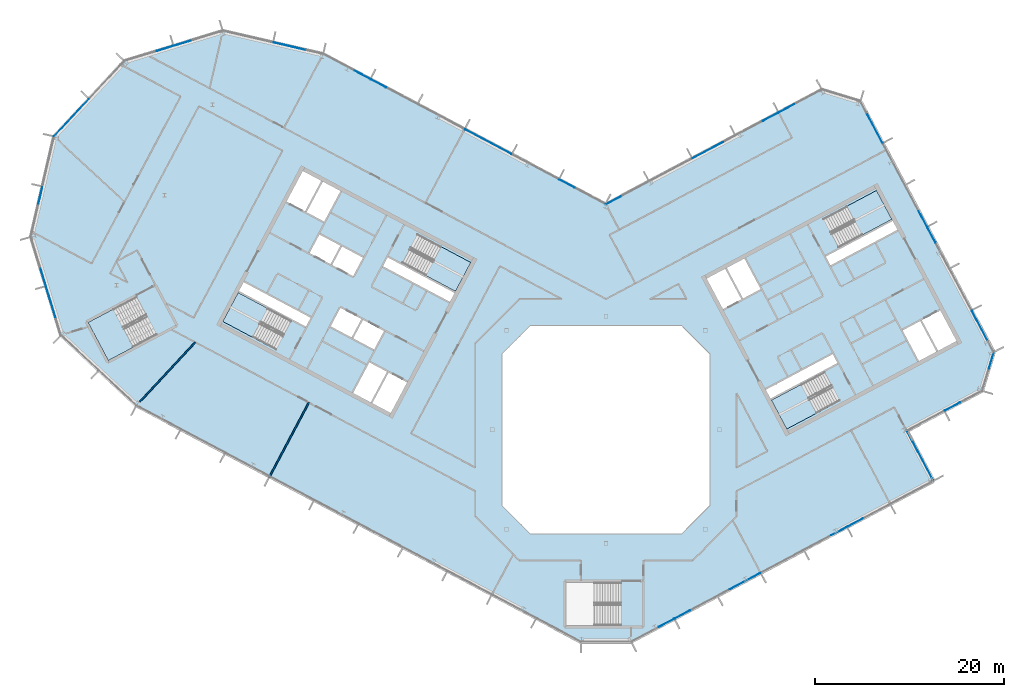
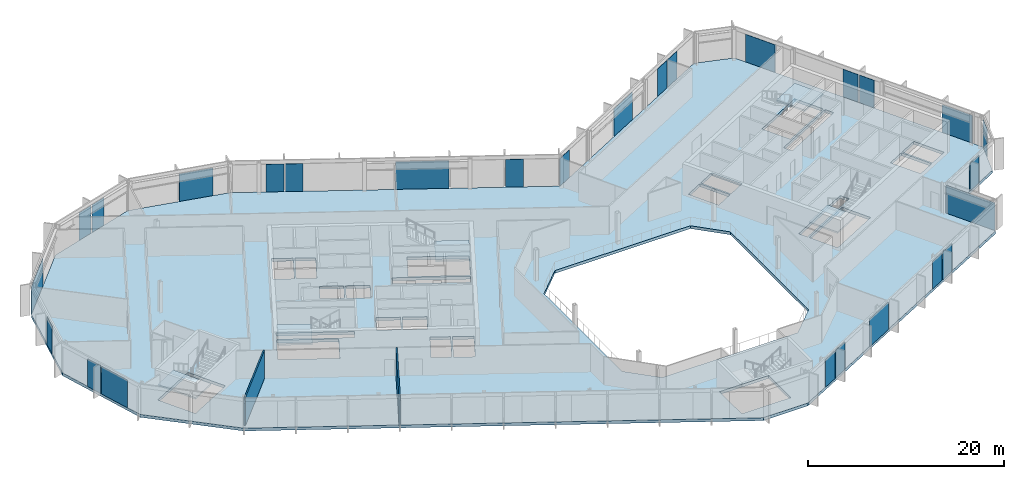
# One storey, part 11 of 25: 27 plates, 6 slabs, 2 walls, 17 elements without a shape of their own.
"""IFC4 building model written with IfcOpenShell, lengths in metres."""

from ifc_helpers import new_model, si_unit, direction, frame, frame_2d, origin, origin_2d, place, context, subcontext, project, spatial, polyline, rectangle, outline, extrude, material, layer, layer_set, type_object, element, aggregate, save


model = new_model("IFC4")

# Units and contexts
model_context = context("Model", 3, precision=1e-05, world=origin(), true_north=direction((0.0, 1.0)))
body_context = subcontext(model_context, "Body", "Model", "MODEL_VIEW")
ifc_project = project(units=[si_unit("LENGTHUNIT", "METRE"), si_unit("AREAUNIT", "SQUARE_METRE"), si_unit("VOLUMEUNIT", "CUBIC_METRE"), si_unit("PLANEANGLEUNIT", "RADIAN"), si_unit("MASSUNIT", "GRAM", prefix="KILO")], contexts=[model_context])

# Site, building, storey
site_placement = place(None, origin())
site = spatial("IfcSite", under=ifc_project, at=site_placement, CompositionType="ELEMENT")
building_placement = place(site_placement, origin())
building = spatial("IfcBuilding", under=site, at=building_placement, Name="Cormorant Relay Tower", CompositionType="ELEMENT")
storey_placement = place(building_placement, frame((0.0, 0.0, 273.60009765625)))
storey = spatial("IfcBuildingStorey", under=building, at=storey_placement, Name="L61", CompositionType="ELEMENT", Elevation=273.60009765625)

# Curtain wall, plates
ifc_material_1 = material(Name="Aluminium 6063-T6 anodised bronze", Category="aluminium")
ifc_layer_1 = layer(ifc_material_1, 0.199951171875)
ifc_layer_set_1 = layer_set([ifc_layer_1], Name="CW1 unitised bronze curtain wall with vertical fins")
curtain_wall_type = type_object("IfcCurtainWallType", Name="CW1 unitised bronze curtain wall with vertical fins", PredefinedType="NOTDEFINED", material=ifc_layer_set_1)
curtain_wall_1_placement = place(storey_placement, origin())
curtain_wall_1 = element("IfcCurtainWall", 1, at=curtain_wall_1_placement, inside=storey, type_object=curtain_wall_type, Name="CW1 curtain wall 2", PredefinedType="NOTDEFINED")
ifc_material_2 = material(Name="Tinted laminated glass", Category="glass")
ifc_layer_2 = layer(ifc_material_2, 0.0400390625)
ifc_layer_set_2 = layer_set([ifc_layer_2], Name="CW1 tinted vision panel 1800 module")
plate_type_1 = type_object("IfcPlateType", Name="CW1 tinted vision panel 1800 module", PredefinedType="CURTAIN_PANEL", material=ifc_layer_set_2)
plate_1_placement = place(storey_placement, frame((6.359130859375, -20.42529296875, 0.0), z_axis=(0.0, 0.0, 1.0), x_axis=(0.882947592859, 0.469471562786, 0.0)))
plate_1 = element("IfcPlate", 2, at=plate_1_placement, type_object=plate_type_1, Name="CW1 panel V01", PredefinedType="CURTAIN_PANEL", context=body_context, shape_type="SweptSolid", body=[
    extrude(rectangle(XDim=1.800048828125, YDim=0.0400390625, at=origin_2d()), origin(), (0.0, 0.0, 1.0), 3.449951171875),
])
plate_2_placement = place(storey_placement, frame((8.080810546875, -19.510009765625, 0.0), z_axis=(0.0, 0.0, 1.0), x_axis=(0.882947592859, 0.469471562786, 0.0)))
plate_2 = element("IfcPlate", 3, at=plate_2_placement, type_object=plate_type_1, Name="CW1 panel V02", PredefinedType="CURTAIN_PANEL", context=body_context, shape_type="SweptSolid", body=[
    extrude(rectangle(XDim=1.800048828125, YDim=0.0400390625, at=origin_2d()), origin(), (0.0, 0.0, 1.0), 3.449951171875),
])
plate_3_placement = place(storey_placement, frame((24.6064453125, -10.72314453125, 0.0), z_axis=(0.0, 0.0, 1.0), x_axis=(0.882947592859, 0.469471562786, 0.0)))
plate_3 = element("IfcPlate", 4, at=plate_3_placement, type_object=plate_type_1, Name="CW1 panel V06", PredefinedType="CURTAIN_PANEL", context=body_context, shape_type="SweptSolid", body=[
    extrude(rectangle(XDim=1.800048828125, YDim=0.0400390625, at=origin_2d()), origin(), (0.0, 0.0, 1.0), 3.449951171875),
])
plate_4_placement = place(storey_placement, frame((26.328125, -9.8076171875, 0.0), z_axis=(0.0, 0.0, 1.0), x_axis=(0.882947592859, 0.469471562786, 0.0)))
plate_4 = element("IfcPlate", 5, at=plate_4_placement, type_object=plate_type_1, Name="CW1 panel V07", PredefinedType="CURTAIN_PANEL", context=body_context, shape_type="SweptSolid", body=[
    extrude(rectangle(XDim=1.800048828125, YDim=0.0400390625, at=origin_2d()), origin(), (0.0, 0.0, 1.0), 3.449951171875),
])

# Curtain wall, plate
curtain_wall_2_placement = place(storey_placement, origin())
curtain_wall_2 = element("IfcCurtainWall", 6, at=curtain_wall_2_placement, inside=storey, type_object=curtain_wall_type, Name="CW1 curtain wall 4", PredefinedType="NOTDEFINED")
plate_5_placement = place(storey_placement, frame((36.608154296875, 2.45361328125, 0.0), z_axis=(0.0, 0.0, 1.0), x_axis=(0.882947592859, 0.469471562786, 0.0)))
plate_5 = element("IfcPlate", 7, at=plate_5_placement, type_object=plate_type_1, Name="CW1 panel V01", PredefinedType="CURTAIN_PANEL", context=body_context, shape_type="SweptSolid", body=[
    extrude(rectangle(XDim=1.800048828125, YDim=0.0400390625, at=origin_2d()), origin(), (0.0, 0.0, 1.0), 3.449951171875),
])
aggregate(curtain_wall_2, [plate_5])

curtain_wall_3_placement = place(storey_placement, origin())
curtain_wall_3 = element("IfcCurtainWall", 8, at=curtain_wall_3_placement, inside=storey, type_object=curtain_wall_type, Name="CW1 curtain wall 5", PredefinedType="NOTDEFINED")
plate_6_placement = place(storey_placement, frame((40.70751953125, 7.31689453125, 0.0), z_axis=(0.0, 0.0, 1.0), x_axis=(0.292371704723, 0.956304755963, 0.0)))
plate_6 = element("IfcPlate", 9, at=plate_6_placement, type_object=plate_type_1, Name="CW1 panel V01", PredefinedType="CURTAIN_PANEL", context=body_context, shape_type="SweptSolid", body=[
    extrude(rectangle(XDim=1.800048828125, YDim=0.0400390625, at=origin_2d()), origin(), (0.0, 0.0, 1.0), 3.449951171875),
])
aggregate(curtain_wall_3, [plate_6])

# Curtain wall, plates
curtain_wall_4_placement = place(storey_placement, origin())
curtain_wall_4 = element("IfcCurtainWall", 10, at=curtain_wall_4_placement, inside=storey, type_object=curtain_wall_type, Name="CW1 curtain wall 6", PredefinedType="NOTDEFINED")
plate_7_placement = place(storey_placement, frame((34.385009765625, 20.576171875, 0.0), z_axis=(0.0, 0.0, 1.0), x_axis=(-0.469471562786, 0.882947592859, 0.0)))
plate_7 = element("IfcPlate", 11, at=plate_7_placement, type_object=plate_type_1, Name="CW1 panel V03", PredefinedType="CURTAIN_PANEL", context=body_context, shape_type="SweptSolid", body=[
    extrude(rectangle(XDim=1.800048828125, YDim=0.0400390625, at=origin_2d()), origin(), (0.0, 0.0, 1.0), 3.449951171875),
])
plate_8_placement = place(storey_placement, frame((33.469482421875, 22.298095703125, 0.0), z_axis=(0.0, 0.0, 1.0), x_axis=(-0.469471562786, 0.882947592859, 0.0)))
plate_8 = element("IfcPlate", 12, at=plate_8_placement, type_object=plate_type_1, Name="CW1 panel V04", PredefinedType="CURTAIN_PANEL", context=body_context, shape_type="SweptSolid", body=[
    extrude(rectangle(XDim=1.800048828125, YDim=0.0400390625, at=origin_2d()), origin(), (0.0, 0.0, 1.0), 3.449951171875),
])

curtain_wall_5_placement = place(storey_placement, origin())
curtain_wall_5 = element("IfcCurtainWall", 13, at=curtain_wall_5_placement, inside=storey, type_object=curtain_wall_type, Name="CW1 curtain wall 8", PredefinedType="NOTDEFINED")
plate_9_placement = place(storey_placement, frame((19.099609375, 33.962158203125, 0.0), z_axis=(0.0, 0.0, 1.0), x_axis=(-0.882947592859, -0.469471562786, 0.0)))
plate_9 = element("IfcPlate", 14, at=plate_9_placement, type_object=plate_type_1, Name="CW1 panel V01", PredefinedType="CURTAIN_PANEL", context=body_context, shape_type="SweptSolid", body=[
    extrude(rectangle(XDim=1.800048828125, YDim=0.0400390625, at=origin_2d()), origin(), (0.0, 0.0, 1.0), 3.449951171875),
])
plate_10_placement = place(storey_placement, frame((17.3779296875, 33.046630859375, 0.0), z_axis=(0.0, 0.0, 1.0), x_axis=(-0.882947592859, -0.469471562786, 0.0)))
plate_10 = element("IfcPlate", 15, at=plate_10_placement, type_object=plate_type_1, Name="CW1 panel V02", PredefinedType="CURTAIN_PANEL", context=body_context, shape_type="SweptSolid", body=[
    extrude(rectangle(XDim=1.800048828125, YDim=0.0400390625, at=origin_2d()), origin(), (0.0, 0.0, 1.0), 3.449951171875),
])
plate_11_placement = place(storey_placement, frame((0.785400390625, 24.22412109375, 0.0), z_axis=(0.0, 0.0, 1.0), x_axis=(-0.882947592859, -0.469471562786, 0.0)))
plate_11 = element("IfcPlate", 16, at=plate_11_placement, type_object=plate_type_1, Name="CW1 panel V06", PredefinedType="CURTAIN_PANEL", context=body_context, shape_type="SweptSolid", body=[
    extrude(rectangle(XDim=1.800048828125, YDim=0.0400390625, at=origin_2d()), origin(), (0.0, 0.0, 1.0), 3.449951171875),
])

curtain_wall_6_placement = place(storey_placement, origin())
curtain_wall_6 = element("IfcCurtainWall", 17, at=curtain_wall_6_placement, inside=storey, type_object=curtain_wall_type, Name="CW1 curtain wall 9", PredefinedType="NOTDEFINED")
plate_12_placement = place(storey_placement, frame((-4.108642578125, 25.9912109375, 0.0), z_axis=(0.0, 0.0, 1.0), x_axis=(-0.882947592859, 0.469471562786, 0.0)))
plate_12 = element("IfcPlate", 18, at=plate_12_placement, type_object=plate_type_1, Name="CW1 panel V01", PredefinedType="CURTAIN_PANEL", context=body_context, shape_type="SweptSolid", body=[
    extrude(rectangle(XDim=1.800048828125, YDim=0.0400390625, at=origin_2d()), origin(), (0.0, 0.0, 1.0), 3.449951171875),
])
plate_13_placement = place(storey_placement, frame((-24.0244140625, 36.580810546875, 0.0), z_axis=(0.0, 0.0, 1.0), x_axis=(-0.882947592859, 0.469471562786, 0.0)))
plate_13 = element("IfcPlate", 19, at=plate_13_placement, type_object=plate_type_1, Name="CW1 panel V05", PredefinedType="CURTAIN_PANEL", context=body_context, shape_type="SweptSolid", body=[
    extrude(rectangle(XDim=1.800048828125, YDim=0.0400390625, at=origin_2d()), origin(), (0.0, 0.0, 1.0), 3.449951171875),
])
plate_14_placement = place(storey_placement, frame((-25.746337890625, 37.49609375, 0.0), z_axis=(0.0, 0.0, 1.0), x_axis=(-0.882947592859, 0.469471562786, 0.0)))
plate_14 = element("IfcPlate", 20, at=plate_14_placement, type_object=plate_type_1, Name="CW1 panel V06", PredefinedType="CURTAIN_PANEL", context=body_context, shape_type="SweptSolid", body=[
    extrude(rectangle(XDim=1.800048828125, YDim=0.0400390625, at=origin_2d()), origin(), (0.0, 0.0, 1.0), 3.449951171875),
])

curtain_wall_7_placement = place(storey_placement, origin())
curtain_wall_7 = element("IfcCurtainWall", 21, at=curtain_wall_7_placement, inside=storey, type_object=curtain_wall_type, Name="CW1 curtain wall 11", PredefinedType="NOTDEFINED")
plate_15_placement = place(storey_placement, frame((-44.73681640625, 40.82861328125, 0.0), z_axis=(0.0, 0.0, 1.0), x_axis=(-0.956304755963, -0.292371704723, 0.0)))
plate_15 = element("IfcPlate", 22, at=plate_15_placement, type_object=plate_type_1, Name="CW1 panel V01", PredefinedType="CURTAIN_PANEL", context=body_context, shape_type="SweptSolid", body=[
    extrude(rectangle(XDim=1.800048828125, YDim=0.0400390625, at=origin_2d()), origin(), (0.0, 0.0, 1.0), 3.449951171875),
])
plate_16_placement = place(storey_placement, frame((-46.6015625, 40.25830078125, 0.0), z_axis=(0.0, 0.0, 1.0), x_axis=(-0.956304755963, -0.292371704723, 0.0)))
plate_16 = element("IfcPlate", 23, at=plate_16_placement, type_object=plate_type_1, Name="CW1 panel V02", PredefinedType="CURTAIN_PANEL", context=body_context, shape_type="SweptSolid", body=[
    extrude(rectangle(XDim=1.800048828125, YDim=0.0400390625, at=origin_2d()), origin(), (0.0, 0.0, 1.0), 3.449951171875),
])
aggregate(curtain_wall_7, [plate_15, plate_16])

# Curtain wall, plate
curtain_wall_8_placement = place(storey_placement, origin())
curtain_wall_8 = element("IfcCurtainWall", 24, at=curtain_wall_8_placement, inside=storey, type_object=curtain_wall_type, Name="CW1 curtain wall 13", PredefinedType="NOTDEFINED")
plate_17_placement = place(storey_placement, frame((-59.736083984375, 24.74365234375, 0.0), z_axis=(0.0, 0.0, 1.0), x_axis=(-0.224951054344, -0.974370064785, 0.0)))
plate_17 = element("IfcPlate", 25, at=plate_17_placement, type_object=plate_type_1, Name="CW1 panel V01", PredefinedType="CURTAIN_PANEL", context=body_context, shape_type="SweptSolid", body=[
    extrude(rectangle(XDim=1.800048828125, YDim=0.0400390625, at=origin_2d()), origin(), (0.0, 0.0, 1.0), 3.449951171875),
])
aggregate(curtain_wall_8, [plate_17])

curtain_wall_9_placement = place(storey_placement, origin())
curtain_wall_9 = element("IfcCurtainWall", 26, at=curtain_wall_9_placement, inside=storey, type_object=curtain_wall_type, Name="CW1 curtain wall 14", PredefinedType="NOTDEFINED")
plate_18_placement = place(storey_placement, frame((-59.434814453125, 16.122314453125, 0.0), z_axis=(0.0, 0.0, 1.0), x_axis=(0.292371704723, -0.956304755963, 0.0)))
plate_18 = element("IfcPlate", 27, at=plate_18_placement, type_object=plate_type_1, Name="CW1 panel V01", PredefinedType="CURTAIN_PANEL", context=body_context, shape_type="SweptSolid", body=[
    extrude(rectangle(XDim=1.800048828125, YDim=0.0400390625, at=origin_2d()), origin(), (0.0, 0.0, 1.0), 3.449951171875),
])

# Plate
ifc_material_3 = material(Name="Tinted laminated glass", Category="glass")
ifc_layer_3 = layer(ifc_material_3, 0.0400390625)
ifc_layer_set_3 = layer_set([ifc_layer_3], Name="CW1 tinted vision panel 3600 module")
plate_type_2 = type_object("IfcPlateType", Name="CW1 tinted vision panel 3600 module", PredefinedType="CURTAIN_PANEL", material=ifc_layer_set_3)
plate_19_placement = place(storey_placement, frame((14.68798828125, -15.996826171875, 0.0), z_axis=(0.0, 0.0, 1.0), x_axis=(0.882947592859, 0.469471562786, 0.0)))
plate_19 = element("IfcPlate", 28, at=plate_19_placement, type_object=plate_type_2, Name="CW1 panel V04", PredefinedType="CURTAIN_PANEL", context=body_context, shape_type="SweptSolid", body=[
    extrude(rectangle(XDim=3.60009765625, YDim=0.0400390625, at=origin_2d()), origin(), (0.0, 0.0, 1.0), 3.449951171875),
])

aggregate(curtain_wall_1, [plate_1, plate_2, plate_19, plate_3, plate_4])

plate_20_placement = place(storey_placement, frame((39.502197265625, 10.9521484375, 0.0), z_axis=(0.0, 0.0, 1.0), x_axis=(-0.469471562786, 0.882947592859, 0.0)))
plate_20 = element("IfcPlate", 29, at=plate_20_placement, type_object=plate_type_2, Name="CW1 panel V01", PredefinedType="CURTAIN_PANEL", context=body_context, shape_type="SweptSolid", body=[
    extrude(rectangle(XDim=3.60009765625, YDim=0.0400390625, at=origin_2d()), origin(), (0.0, 0.0, 1.0), 3.449951171875),
])

plate_21_placement = place(storey_placement, frame((28.352294921875, 31.922119140625, 0.0), z_axis=(0.0, 0.0, 1.0), x_axis=(-0.469471562786, 0.882947592859, 0.0)))
plate_21 = element("IfcPlate", 30, at=plate_21_placement, type_object=plate_type_2, Name="CW1 panel V06", PredefinedType="CURTAIN_PANEL", context=body_context, shape_type="SweptSolid", body=[
    extrude(rectangle(XDim=3.60009765625, YDim=0.0400390625, at=origin_2d()), origin(), (0.0, 0.0, 1.0), 3.449951171875),
])

aggregate(curtain_wall_4, [plate_20, plate_7, plate_8, plate_21])

plate_22_placement = place(storey_placement, frame((10.770263671875, 29.533203125, 0.0), z_axis=(0.0, 0.0, 1.0), x_axis=(-0.882947592859, -0.469471562786, 0.0)))
plate_22 = element("IfcPlate", 31, at=plate_22_placement, type_object=plate_type_2, Name="CW1 panel V04", PredefinedType="CURTAIN_PANEL", context=body_context, shape_type="SweptSolid", body=[
    extrude(rectangle(XDim=3.60009765625, YDim=0.0400390625, at=origin_2d()), origin(), (0.0, 0.0, 1.0), 3.449951171875),
])

aggregate(curtain_wall_5, [plate_9, plate_10, plate_22, plate_11])

# Curtain wall, plate
curtain_wall_10_placement = place(storey_placement, origin())
curtain_wall_10 = element("IfcCurtainWall", 32, at=curtain_wall_10_placement, inside=storey, type_object=curtain_wall_type, Name="CW1 curtain wall 10", PredefinedType="NOTDEFINED")
plate_23_placement = place(storey_placement, frame((-33.338134765625, 40.488525390625, 0.0), z_axis=(0.0, 0.0, 1.0), x_axis=(-0.974370064785, 0.224951054344, 0.0)))
plate_23 = element("IfcPlate", 33, at=plate_23_placement, type_object=plate_type_2, Name="CW1 panel V01", PredefinedType="CURTAIN_PANEL", context=body_context, shape_type="SweptSolid", body=[
    extrude(rectangle(XDim=3.60009765625, YDim=0.0400390625, at=origin_2d()), origin(), (0.0, 0.0, 1.0), 3.449951171875),
])
aggregate(curtain_wall_10, [plate_23])

# Plate
plate_24_placement = place(storey_placement, frame((-58.601806640625, 13.396728515625, 0.0), z_axis=(0.0, 0.0, 1.0), x_axis=(0.292371704723, -0.956304755963, 0.0)))
plate_24 = element("IfcPlate", 34, at=plate_24_placement, type_object=plate_type_2, Name="CW1 panel V02", PredefinedType="CURTAIN_PANEL", context=body_context, shape_type="SweptSolid", body=[
    extrude(rectangle(XDim=3.60009765625, YDim=0.0400390625, at=origin_2d()), origin(), (0.0, 0.0, 1.0), 3.449951171875),
])

aggregate(curtain_wall_9, [plate_18, plate_24])

# Curtain wall, plate
curtain_wall_11_placement = place(storey_placement, origin())
curtain_wall_11 = element("IfcCurtainWall", 35, at=curtain_wall_11_placement, inside=storey, type_object=curtain_wall_type, Name="CW1 curtain wall 3", PredefinedType="NOTDEFINED")
ifc_material_4 = material(Name="Tinted laminated glass", Category="glass")
ifc_layer_4 = layer(ifc_material_4, 0.0400390625)
ifc_layer_set_4 = layer_set([ifc_layer_4], Name="CW1 tinted vision panel 5400 module")
plate_type_3 = type_object("IfcPlateType", Name="CW1 tinted vision panel 5400 module", PredefinedType="CURTAIN_PANEL", material=ifc_layer_set_4)
plate_25_placement = place(storey_placement, frame((33.173095703125, -2.705322265625, 0.0), z_axis=(0.0, 0.0, 1.0), x_axis=(-0.469471562786, 0.882947592859, 0.0)))
plate_25 = element("IfcPlate", 36, at=plate_25_placement, type_object=plate_type_3, Name="CW1 panel V00", PredefinedType="CURTAIN_PANEL", context=body_context, shape_type="SweptSolid", body=[
    extrude(rectangle(XDim=5.925048828125, YDim=0.0400390625, at=origin_2d()), origin(), (0.0, 0.0, 1.0), 3.449951171875),
])
aggregate(curtain_wall_11, [plate_25])

# Plate
plate_26_placement = place(storey_placement, frame((-12.43798828125, 30.419921875, 0.0), z_axis=(0.0, 0.0, 1.0), x_axis=(-0.882947592859, 0.469471562786, 0.0)))
plate_26 = element("IfcPlate", 37, at=plate_26_placement, type_object=plate_type_3, Name="CW1 panel V03", PredefinedType="CURTAIN_PANEL", context=body_context, shape_type="SweptSolid", body=[
    extrude(rectangle(XDim=5.489013671875, YDim=0.0400390625, at=origin_2d()), origin(), (0.0, 0.0, 1.0), 3.449951171875),
])

aggregate(curtain_wall_6, [plate_12, plate_26, plate_13, plate_14])

# Curtain wall, plate
curtain_wall_12_placement = place(storey_placement, origin())
curtain_wall_12 = element("IfcCurtainWall", 38, at=curtain_wall_12_placement, inside=storey, type_object=curtain_wall_type, Name="CW1 curtain wall 12", PredefinedType="NOTDEFINED")
plate_27_placement = place(storey_placement, frame((-56.461181640625, 32.958984375, 0.0), z_axis=(0.0, 0.0, 1.0), x_axis=(-0.681998360062, -0.731353701619, 0.0)))
plate_27 = element("IfcPlate", 39, at=plate_27_placement, type_object=plate_type_3, Name="CW1 panel V01", PredefinedType="CURTAIN_PANEL", context=body_context, shape_type="SweptSolid", body=[
    extrude(rectangle(XDim=5.360107421875, YDim=0.0400390625, at=origin_2d()), origin(), (0.0, 0.0, 1.0), 3.449951171875),
])
aggregate(curtain_wall_12, [plate_27])

# Stair, slab
ifc_material_5 = material(Name="Concrete 40 MPa", Category="concrete")
stair_type_1 = type_object("IfcStairType", Name="Exit stair 1500", PredefinedType="HALF_TURN_STAIR", material=ifc_material_5)
stair_1_placement = place(storey_placement, origin())
stair_1 = element("IfcStair", 40, at=stair_1_placement, inside=storey, type_object=stair_type_1, Name="L61 Stair", PredefinedType="HALF_TURN_STAIR")
ifc_material_6 = material(Name="Concrete 40 MPa", Category="concrete")
ifc_layer_5 = layer(ifc_material_6, 0.199951171875)
ifc_layer_set_5 = layer_set([ifc_layer_5], Name="Exit stair landing 200")
slab_type_1 = type_object("IfcSlabType", Name="Exit stair landing 200", PredefinedType="LANDING", material=ifc_layer_set_5)
slab_1_placement = place(storey_placement, frame((0.0, 0.0, 1.75)))
slab_1 = element("IfcSlab", 41, at=slab_1_placement, type_object=slab_type_1, Name="A1 landing 1", PredefinedType="LANDING", context=body_context, shape_type="SweptSolid", body=[
    extrude(outline(polyline([(-19.029541015625, 16.29052734375), (-15.89501953125, 14.6240234375), (-14.275390625, 17.670166015625), (-17.40966796875, 19.3369140625), (-19.029541015625, 16.29052734375)])), origin(), (0.0, 0.0, 1.0), 0.199951171875),
])
aggregate(stair_1, [slab_1])

stair_2_placement = place(storey_placement, origin())
stair_2 = element("IfcStair", 42, at=stair_2_placement, inside=storey, type_object=stair_type_1, Name="L61 Stair", PredefinedType="HALF_TURN_STAIR")
slab_2_placement = place(storey_placement, frame((0.0, 0.0, 1.75)))
slab_2 = element("IfcSlab", 43, at=slab_2_placement, type_object=slab_type_1, Name="A2 landing 1", PredefinedType="LANDING", context=body_context, shape_type="SweptSolid", body=[
    extrude(outline(polyline([(-35.71337890625, 12.816650390625), (-38.84765625, 14.483154296875), (-40.467529296875, 11.43701171875), (-37.3330078125, 9.7705078125), (-35.71337890625, 12.816650390625)])), origin(), (0.0, 0.0, 1.0), 0.199951171875),
])
aggregate(stair_2, [slab_2])

stair_3_placement = place(storey_placement, origin())
stair_3 = element("IfcStair", 44, at=stair_3_placement, inside=storey, type_object=stair_type_1, Name="L61 Stair", PredefinedType="HALF_TURN_STAIR")
slab_3_placement = place(storey_placement, frame((0.0, 0.0, 1.75)))
slab_3 = element("IfcSlab", 45, at=slab_3_placement, type_object=slab_type_1, Name="B1 landing 1", PredefinedType="LANDING", context=body_context, shape_type="SweptSolid", body=[
    extrude(outline(polyline([(20.614990234375, 4.78857421875), (17.48046875, 3.1220703125), (19.10009765625, 0.075927734375), (22.234619140625, 1.742431640625), (20.614990234375, 4.78857421875)])), origin(), (0.0, 0.0, 1.0), 0.199951171875),
])
aggregate(stair_3, [slab_3])

stair_4_placement = place(storey_placement, origin())
stair_4 = element("IfcStair", 46, at=stair_4_placement, inside=storey, type_object=stair_type_1, Name="L61 Stair", PredefinedType="HALF_TURN_STAIR")
slab_4_placement = place(storey_placement, frame((0.0, 0.0, 1.75)))
slab_4 = element("IfcSlab", 47, at=slab_4_placement, type_object=slab_type_1, Name="B2 landing 1", PredefinedType="LANDING", context=body_context, shape_type="SweptSolid", body=[
    extrude(outline(polyline([(27.064208984375, 20.562744140625), (30.19873046875, 22.2294921875), (28.5791015625, 25.275634765625), (25.444580078125, 23.60888671875), (27.064208984375, 20.562744140625)])), origin(), (0.0, 0.0, 1.0), 0.199951171875),
])
aggregate(stair_4, [slab_4])

ifc_material_7 = material(Name="Concrete 40 MPa", Category="concrete")
stair_type_2 = type_object("IfcStairType", Name="Remote exit stair 2200", PredefinedType="HALF_TURN_STAIR", material=ifc_material_7)
stair_5_placement = place(storey_placement, origin())
stair_5 = element("IfcStair", 48, at=stair_5_placement, inside=storey, type_object=stair_type_2, Name="L61 Stair", PredefinedType="HALF_TURN_STAIR")
slab_5_placement = place(storey_placement, frame((0.0, 0.0, 1.75)))
slab_5 = element("IfcSlab", 49, at=slab_5_placement, type_object=slab_type_1, Name="RP1 landing 1", PredefinedType="LANDING", context=body_context, shape_type="SweptSolid", body=[
    extrude(outline(polyline([(-52.051025390625, 12.7392578125), (-54.699951171875, 11.330810546875), (-52.563720703125, 7.3134765625), (-49.914794921875, 8.721923828125), (-52.051025390625, 12.7392578125)])), origin(), (0.0, 0.0, 1.0), 0.199951171875),
])
aggregate(stair_5, [slab_5])

# Slab
ifc_material_8 = material(Name="Concrete 40 MPa", Category="concrete")
ifc_layer_6 = layer(ifc_material_8, 0.360107421875)
ifc_layer_set_6 = layer_set([ifc_layer_6], Name="Flat plate 360")
slab_type_2 = type_object("IfcSlabType", Name="Flat plate 360", PredefinedType="FLOOR", material=ifc_layer_set_6)
slab_6_placement = place(storey_placement, frame((0.0, 0.0, -0.360107421875)))
element("IfcSlab", 50, at=slab_6_placement, inside=storey, type_object=slab_type_2, Name="Floor slab L61", PredefinedType="FLOOR", context=body_context, shape_type="SweptSolid", body=[
    extrude(outline(polyline([(-60.7197265625, 20.393310546875), (-58.2744140625, 30.985107421875), (-50.86083984375, 38.935302734375), (-40.465576171875, 42.11328125), (-29.873779296875, 39.668212890625), (0.0, 23.783935546875), (22.810302734375, 35.912353515625), (26.867431640625, 34.671875), (40.95166015625, 8.18359375), (39.711181640625, 4.126220703125), (31.7646484375, -0.09912109375), (34.581298828125, -5.396728515625), (2.648681640625, -22.37548828125), (-2.648681640625, -22.37548828125), (-49.591552734375, 2.584228515625), (-57.541748046875, 9.997802734375), (-60.7197265625, 20.393310546875)]), holes=[polyline([(11.0, -8.0), (11.0, 8.0), (8.0, 11.0), (-8.0, 11.0), (-11.0, 8.0), (-11.0, -8.0), (-8.0, -11.0), (8.0, -11.0), (11.0, -8.0)]), polyline([(-22.95458984375, 6.03271484375), (-24.668212890625, 2.81005859375), (-22.725830078125, 1.777099609375), (-21.01220703125, 5.0), (-23.04296875, 6.07958984375), (-22.95458984375, 6.03271484375)]), polyline([(-24.985595703125, 7.112548828125), (-26.69921875, 3.889892578125), (-24.844970703125, 2.90380859375), (-23.13134765625, 6.126708984375), (-23.04296875, 6.07958984375), (-24.985595703125, 7.112548828125)]), polyline([(-26.688720703125, 9.660400390625), (-24.481201171875, 8.48681640625), (-23.448486328125, 10.42919921875), (-25.656005859375, 11.602783203125), (-26.688720703125, 9.660400390625)]), polyline([(-49.57861328125, 14.0537109375), (-54.69970703125, 11.330810546875), (-52.563720703125, 7.3134765625), (-47.442626953125, 10.036376953125), (-49.57861328125, 14.0537109375)]), polyline([(-28.039794921875, 12.870361328125), (-29.07275390625, 10.927978515625), (-26.865234375, 9.75439453125), (-25.83251953125, 11.69677734375), (-28.039794921875, 12.870361328125)]), polyline([(-38.847900390625, 14.483154296875), (-40.46728515625, 11.43701171875), (-34.860595703125, 8.455810546875), (-33.240966796875, 11.502197265625), (-38.847900390625, 14.483154296875)]), polyline([(-38.260986328125, 15.5869140625), (-38.75390625, 14.659912109375), (-31.690185546875, 10.904052734375), (-31.197265625, 11.8310546875), (-38.260986328125, 15.5869140625)]), polyline([(-25.670166015625, 18.17919921875), (-27.87744140625, 19.35302734375), (-28.910400390625, 17.410400390625), (-26.702880859375, 16.23681640625), (-25.670166015625, 18.17919921875)]), polyline([(-30.261474609375, 20.62060546875), (-31.294189453125, 18.677978515625), (-29.0869140625, 17.50439453125), (-28.053955078125, 19.447021484375), (-30.261474609375, 20.62060546875)]), polyline([(-31.611572265625, 22.980712890625), (-29.75732421875, 21.99462890625), (-28.043701171875, 25.217529296875), (-29.89794921875, 26.203369140625), (-31.611572265625, 22.980712890625)]), polyline([(-32.01708984375, 27.330078125), (-33.73046875, 24.107421875), (-31.7880859375, 23.074462890625), (-30.074462890625, 26.29736328125), (-32.01708984375, 27.330078125)]), polyline([(-4.199951171875, -16.125), (-4.199951171875, -20.675048828125), (1.60009765625, -20.675048828125), (1.60009765625, -16.125), (-4.199951171875, -16.125)]), polyline([(17.48046875, 3.1220703125), (19.10009765625, 0.07568359375), (24.706787109375, 3.056884765625), (23.087158203125, 6.10302734375), (17.48046875, 3.1220703125)]), polyline([(17.386474609375, 3.298583984375), (24.4501953125, 7.054443359375), (23.957275390625, 7.9814453125), (16.8935546875, 4.2255859375), (17.386474609375, 3.298583984375)]), polyline([(33.197021484375, 11.478515625), (31.3427734375, 10.49267578125), (33.056396484375, 7.27001953125), (34.910400390625, 8.255859375), (33.197021484375, 11.478515625)]), polyline([(33.37353515625, 11.572509765625), (35.087158203125, 8.349609375), (37.029541015625, 9.382568359375), (35.31591796875, 12.605224609375), (33.37353515625, 11.572509765625)]), polyline([(14.3056640625, 13.779052734375), (12.592041015625, 17.001708984375), (10.649658203125, 15.968994140625), (12.36328125, 12.74609375), (14.39404296875, 13.825927734375), (14.3056640625, 13.779052734375)]), polyline([(16.33642578125, 14.85888671875), (14.622802734375, 18.08154296875), (12.768798828125, 17.095703125), (14.482421875, 13.872802734375), (14.39404296875, 13.825927734375), (16.33642578125, 14.85888671875)]), polyline([(-16.481689453125, 13.520263671875), (-15.989013671875, 14.447509765625), (-23.052490234375, 18.203125), (-23.54541015625, 17.276123046875), (-16.481689453125, 13.520263671875)]), polyline([(-15.89501953125, 14.6240234375), (-14.275390625, 17.670166015625), (-19.882080078125, 20.6513671875), (-21.501708984375, 17.605224609375), (-15.89501953125, 14.6240234375)]), polyline([(30.78564453125, 21.125732421875), (30.29248046875, 22.052978515625), (23.22900390625, 18.297119140625), (23.721923828125, 17.3701171875), (30.78564453125, 21.125732421875)]), polyline([(24.592041015625, 19.248291015625), (30.19873046875, 22.2294921875), (28.5791015625, 25.275634765625), (22.972412109375, 22.29443359375), (24.592041015625, 19.248291015625)])]), origin(), (0.0, 0.0, 1.0), 0.360107421875),
])

# Walls
ifc_material_9 = material(Name="Gypsum board partition")
ifc_layer_7 = layer(ifc_material_9, 0.14990234375)
ifc_layer_set_7 = layer_set([ifc_layer_7], Name="Tenant partition 150")
wall_type = type_object("IfcWallType", Name="Tenant partition 150", PredefinedType="PARTITIONING", material=ifc_layer_set_7)
wall_1_placement = place(storey_placement, frame((-43.3779296875, 9.2470703125, 0.0), z_axis=(0.0, 0.0, 1.0), x_axis=(-0.682017944942, -0.731335437934, 0.0)))
element("IfcWall", 51, at=wall_1_placement, inside=storey, type_object=wall_type, Name="wall/L61/part/006", PredefinedType="PARTITIONING", context=body_context, shape_type="SweptSolid", body=[
    extrude(rectangle(XDim=8.633544921875, YDim=0.14990234375, at=frame_2d((4.31689453125, 0.0))), origin(), (0.0, 0.0, 1.0), 3.539794921875),
])
wall_2_placement = place(storey_placement, frame((-31.376953125, 2.865966796875, 0.0), z_axis=(0.0, 0.0, 1.0), x_axis=(-0.469565734835, -0.88289751425, 0.0)))
element("IfcWall", 52, at=wall_2_placement, inside=storey, type_object=wall_type, Name="wall/L61/part/007", PredefinedType="PARTITIONING", context=body_context, shape_type="SweptSolid", body=[
    extrude(rectangle(XDim=9.0, YDim=0.14990234375, at=frame_2d((4.5, 0.0))), origin(), (0.0, 0.0, 1.0), 3.539794921875),
])

save(model, "model.ifc")
